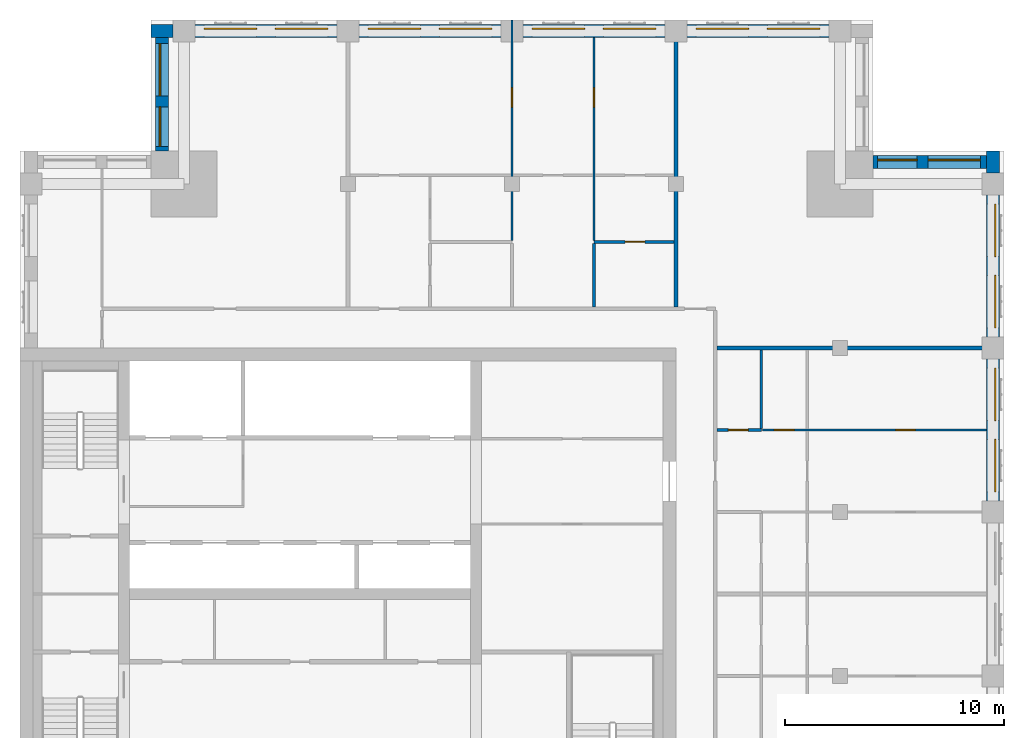
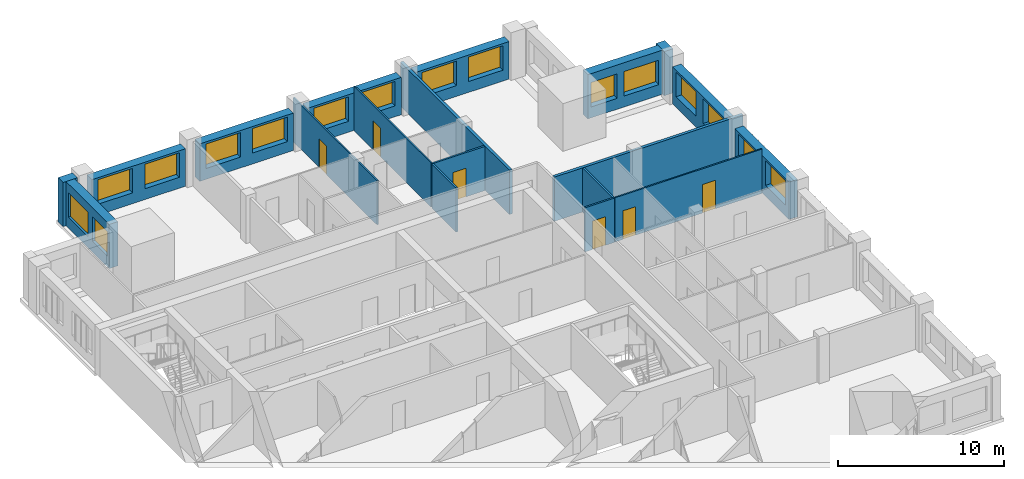
# One storey, part 7 of 10: 19 walls, 16 windows, 6 doors, 22 openings.
"""IFC4 building model written with IfcOpenShell, lengths in metres."""

from ifc_helpers import new_model, si_unit, direction, frame, frame_2d, origin, place, context, subcontext, project, spatial, rectangle, extrude, material, layer, layer_set, type_object, element, fill, save


model = new_model("IFC4")

# Units and contexts
model_context = context("Model", 3, precision=1e-05, world=origin(), true_north=direction((0.0, 1.0)))
body_context = subcontext(model_context, "Body", "Model", "MODEL_VIEW")
ifc_project = project(units=[si_unit("LENGTHUNIT", "METRE"), si_unit("AREAUNIT", "SQUARE_METRE"), si_unit("VOLUMEUNIT", "CUBIC_METRE"), si_unit("PLANEANGLEUNIT", "RADIAN"), si_unit("MASSUNIT", "GRAM", prefix="KILO")], contexts=[model_context])

# Site, building, storey
site_placement = place(None, origin())
site = spatial("IfcSite", under=ifc_project, at=site_placement, CompositionType="ELEMENT")
building_placement = place(site_placement, origin())
building = spatial("IfcBuilding", under=site, at=building_placement, Name="Tamorin Gate", CompositionType="ELEMENT")
storey_placement = place(building_placement, frame((0.0, 0.0, 280.199951171875)))
storey = spatial("IfcBuildingStorey", under=building, at=storey_placement, Name="L70", CompositionType="ELEMENT", Elevation=280.199951171875)

# Wall, openings, windows
ifc_material_1 = material(Name="Precast concrete C40/50", Category="concrete")
ifc_layer_1 = layer(ifc_material_1, 0.60009765625)
ifc_layer_set_1 = layer_set([ifc_layer_1], Name="Precast concrete C40/50")
wall_type_1 = type_object("IfcWallType", Name="Board-marked concrete facade panel 600", PredefinedType="SOLIDWALL", material=ifc_layer_set_1)
wall_1_placement = place(storey_placement, frame((74.5, 75.5, 0.0), z_axis=(0.0, 0.0, 1.0), x_axis=(0.0, 1.0, 0.0)))
wall_1 = element("IfcWall", 1, at=wall_1_placement, inside=storey, type_object=wall_type_1, Name="Facade panel", PredefinedType="SOLIDWALL", context=body_context, shape_type="SweptSolid", body=[
    extrude(rectangle(XDim=6.5, YDim=0.60009765625, at=frame_2d((3.25, 0.0))), origin(), (0.0, 0.0, 1.0), 2.75),
])
opening_1_placement = place(wall_1_placement, frame((0.425048828125, 0.0, 0.800048828125)))
opening_1 = element("IfcOpeningElement", 2, at=opening_1_placement, cuts=wall_1, Name="Opening WN1", PredefinedType="OPENING", context=body_context, shape_type="SweptSolid", body=[
    extrude(rectangle(XDim=2.39990234375, YDim=1.800048828125, at=frame_2d((1.199951171875, 0.89990234375))), frame((0.0, 0.31005859375, 0.0), z_axis=(0.0, -1.0, 0.0), x_axis=(1.0, 0.0, 0.0)), (0.0, 0.0, 1.0), 0.6201171875),
])
opening_2_placement = place(wall_1_placement, frame((3.675048828125, 0.0, 0.800048828125)))
opening_2 = element("IfcOpeningElement", 3, at=opening_2_placement, cuts=wall_1, Name="Opening WN1", PredefinedType="OPENING", context=body_context, shape_type="SweptSolid", body=[
    extrude(rectangle(XDim=2.39990234375, YDim=1.800048828125, at=frame_2d((1.199951171875, 0.89990234375))), frame((0.0, 0.31005859375, 0.0), z_axis=(0.0, -1.0, 0.0), x_axis=(1.0, 0.0, 0.0)), (0.0, 0.0, 1.0), 0.6201171875),
])
ifc_material_2 = material(Name="Clear glass in aluminium frame", Category="aluminium")
window_type_1 = type_object("IfcWindowType", Name="Deep-set window 2400x1800", PartitioningType="SINGLE_PANEL", PredefinedType="WINDOW", material=ifc_material_2)
window_1_placement = place(opening_1_placement, origin())
window_1 = element("IfcWindow", 4, at=window_1_placement, inside=storey, type_object=window_type_1, Name="Deep-set window", OverallHeight=1.800048828125, OverallWidth=2.39990234375, PartitioningType="SINGLE_PANEL", PredefinedType="WINDOW", context=body_context, shape_type="SweptSolid", body=[
    extrude(rectangle(XDim=2.39990234375, YDim=1.800048828125, at=frame_2d((1.199951171875, 0.89990234375))), frame((0.0, -0.070068359375, 0.0), z_axis=(0.0, -1.0, 0.0), x_axis=(1.0, 0.0, 0.0)), (0.0, 0.0, 1.0), 0.06005859375),
])
fill(opening_1, window_1)
window_2_placement = place(opening_2_placement, origin())
window_2 = element("IfcWindow", 5, at=window_2_placement, inside=storey, type_object=window_type_1, Name="Deep-set window", OverallHeight=1.800048828125, OverallWidth=2.39990234375, PartitioningType="SINGLE_PANEL", PredefinedType="WINDOW", context=body_context, shape_type="SweptSolid", body=[
    extrude(rectangle(XDim=2.39990234375, YDim=1.800048828125, at=frame_2d((1.199951171875, 0.89990234375))), frame((0.0, -0.070068359375, 0.0), z_axis=(0.0, -1.0, 0.0), x_axis=(1.0, 0.0, 0.0)), (0.0, 0.0, 1.0), 0.06005859375),
])
fill(opening_2, window_2)

wall_2_placement = place(storey_placement, frame((74.5, 83.0, 0.0), z_axis=(0.0, 0.0, 1.0), x_axis=(0.0, 1.0, 0.0)))
wall_2 = element("IfcWall", 6, at=wall_2_placement, inside=storey, type_object=wall_type_1, Name="Facade panel", PredefinedType="SOLIDWALL", context=body_context, shape_type="SweptSolid", body=[
    extrude(rectangle(XDim=6.5, YDim=0.60009765625, at=frame_2d((3.25, 0.0))), origin(), (0.0, 0.0, 1.0), 2.75),
])
opening_3_placement = place(wall_2_placement, frame((0.425048828125, 0.0, 0.800048828125)))
opening_3 = element("IfcOpeningElement", 7, at=opening_3_placement, cuts=wall_2, Name="Opening WN1", PredefinedType="OPENING", context=body_context, shape_type="SweptSolid", body=[
    extrude(rectangle(XDim=2.39990234375, YDim=1.800048828125, at=frame_2d((1.199951171875, 0.89990234375))), frame((0.0, 0.31005859375, 0.0), z_axis=(0.0, -1.0, 0.0), x_axis=(1.0, 0.0, 0.0)), (0.0, 0.0, 1.0), 0.6201171875),
])
opening_4_placement = place(wall_2_placement, frame((3.675048828125, 0.0, 0.800048828125)))
opening_4 = element("IfcOpeningElement", 8, at=opening_4_placement, cuts=wall_2, Name="Opening WN1", PredefinedType="OPENING", context=body_context, shape_type="SweptSolid", body=[
    extrude(rectangle(XDim=2.39990234375, YDim=1.800048828125, at=frame_2d((1.199951171875, 0.89990234375))), frame((0.0, 0.31005859375, 0.0), z_axis=(0.0, -1.0, 0.0), x_axis=(1.0, 0.0, 0.0)), (0.0, 0.0, 1.0), 0.6201171875),
])
window_3_placement = place(opening_3_placement, origin())
window_3 = element("IfcWindow", 9, at=window_3_placement, inside=storey, type_object=window_type_1, Name="Deep-set window", OverallHeight=1.800048828125, OverallWidth=2.39990234375, PartitioningType="SINGLE_PANEL", PredefinedType="WINDOW", context=body_context, shape_type="SweptSolid", body=[
    extrude(rectangle(XDim=2.39990234375, YDim=1.800048828125, at=frame_2d((1.199951171875, 0.89990234375))), frame((0.0, -0.070068359375, 0.0), z_axis=(0.0, -1.0, 0.0), x_axis=(1.0, 0.0, 0.0)), (0.0, 0.0, 1.0), 0.06005859375),
])
fill(opening_3, window_3)
window_4_placement = place(opening_4_placement, origin())
window_4 = element("IfcWindow", 10, at=window_4_placement, inside=storey, type_object=window_type_1, Name="Deep-set window", OverallHeight=1.800048828125, OverallWidth=2.39990234375, PartitioningType="SINGLE_PANEL", PredefinedType="WINDOW", context=body_context, shape_type="SweptSolid", body=[
    extrude(rectangle(XDim=2.39990234375, YDim=1.800048828125, at=frame_2d((1.199951171875, 0.89990234375))), frame((0.0, -0.070068359375, 0.0), z_axis=(0.0, -1.0, 0.0), x_axis=(1.0, 0.0, 0.0)), (0.0, 0.0, 1.0), 0.06005859375),
])
fill(opening_4, window_4)

# Wall
wall_3_placement = place(storey_placement, frame((74.5, 90.5, 0.0), z_axis=(0.0, 0.0, 1.0), x_axis=(0.0, 1.0, 0.0)))
element("IfcWall", 11, at=wall_3_placement, inside=storey, type_object=wall_type_1, Name="Facade panel", PredefinedType="SOLIDWALL", context=body_context, shape_type="SweptSolid", body=[
    extrude(rectangle(XDim=1.0, YDim=0.60009765625, at=frame_2d((0.5, 0.0))), origin(), (0.0, 0.0, 1.0), 3.25),
])

# Wall, openings, windows
wall_4_placement = place(storey_placement, frame((74.199951171875, 91.0, 0.0), z_axis=(0.0, 0.0, 1.0), x_axis=(-1.0, 0.0, 0.0)))
wall_4 = element("IfcWall", 12, at=wall_4_placement, inside=storey, type_object=wall_type_1, Name="Facade panel", PredefinedType="SOLIDWALL", context=body_context, shape_type="SweptSolid", body=[
    extrude(rectangle(XDim=5.199951171875, YDim=0.60009765625, at=frame_2d((2.60009765625, 0.0))), origin(), (0.0, 0.0, 1.0), 3.25),
])
opening_5_placement = place(wall_4_placement, frame((3.175048828125, 0.0, 0.800048828125)))
opening_5 = element("IfcOpeningElement", 13, at=opening_5_placement, cuts=wall_4, Name="Opening WN2", PredefinedType="OPENING", context=body_context, shape_type="SweptSolid", body=[
    extrude(rectangle(XDim=1.800048828125, YDim=1.800048828125, at=frame_2d((0.89990234375, 0.89990234375))), frame((0.0, 0.31005859375, 0.0), z_axis=(0.0, -1.0, 0.0), x_axis=(1.0, 0.0, 0.0)), (0.0, 0.0, 1.0), 0.6201171875),
])
opening_6_placement = place(wall_4_placement, frame((0.27490234375, 0.0, 0.800048828125)))
opening_6 = element("IfcOpeningElement", 14, at=opening_6_placement, cuts=wall_4, Name="Opening WN1", PredefinedType="OPENING", context=body_context, shape_type="SweptSolid", body=[
    extrude(rectangle(XDim=2.39990234375, YDim=1.800048828125, at=frame_2d((1.199951171875, 0.89990234375))), frame((0.0, 0.31005859375, 0.0), z_axis=(0.0, -1.0, 0.0), x_axis=(1.0, 0.0, 0.0)), (0.0, 0.0, 1.0), 0.6201171875),
])
window_type_2 = type_object("IfcWindowType", Name="Deep-set window 1800x1800", PartitioningType="SINGLE_PANEL", PredefinedType="WINDOW", material=ifc_material_2)
window_5_placement = place(opening_5_placement, origin())
window_5 = element("IfcWindow", 15, at=window_5_placement, inside=storey, type_object=window_type_2, Name="Deep-set window", OverallHeight=1.800048828125, OverallWidth=1.800048828125, PartitioningType="SINGLE_PANEL", PredefinedType="WINDOW", context=body_context, shape_type="SweptSolid", body=[
    extrude(rectangle(XDim=1.800048828125, YDim=1.800048828125, at=frame_2d((0.89990234375, 0.89990234375))), frame((0.0, -0.070068359375, 0.0), z_axis=(0.0, -1.0, 0.0), x_axis=(1.0, 0.0, 0.0)), (0.0, 0.0, 1.0), 0.06005859375),
])
fill(opening_5, window_5)
window_6_placement = place(opening_6_placement, origin())
window_6 = element("IfcWindow", 16, at=window_6_placement, inside=storey, type_object=window_type_1, Name="Deep-set window", OverallHeight=1.800048828125, OverallWidth=2.39990234375, PartitioningType="SINGLE_PANEL", PredefinedType="WINDOW", context=body_context, shape_type="SweptSolid", body=[
    extrude(rectangle(XDim=2.39990234375, YDim=1.800048828125, at=frame_2d((1.199951171875, 0.89990234375))), frame((0.0, -0.070068359375, 0.0), z_axis=(0.0, -1.0, 0.0), x_axis=(1.0, 0.0, 0.0)), (0.0, 0.0, 1.0), 0.06005859375),
])
fill(opening_6, window_6)

wall_5_placement = place(storey_placement, frame((67.0, 97.0, 0.0), z_axis=(0.0, 0.0, 1.0), x_axis=(-1.0, 0.0, 0.0)))
wall_5 = element("IfcWall", 17, at=wall_5_placement, inside=storey, type_object=wall_type_1, Name="Facade panel", PredefinedType="SOLIDWALL", context=body_context, shape_type="SweptSolid", body=[
    extrude(rectangle(XDim=6.5, YDim=0.60009765625, at=frame_2d((3.25, 0.0))), origin(), (0.0, 0.0, 1.0), 2.75),
])
opening_7_placement = place(wall_5_placement, frame((3.675048828125, 0.0, 0.800048828125)))
opening_7 = element("IfcOpeningElement", 18, at=opening_7_placement, cuts=wall_5, Name="Opening WN1", PredefinedType="OPENING", context=body_context, shape_type="SweptSolid", body=[
    extrude(rectangle(XDim=2.39990234375, YDim=1.800048828125, at=frame_2d((1.199951171875, 0.89990234375))), frame((0.0, 0.31005859375, 0.0), z_axis=(0.0, -1.0, 0.0), x_axis=(1.0, 0.0, 0.0)), (0.0, 0.0, 1.0), 0.6201171875),
])
opening_8_placement = place(wall_5_placement, frame((0.425048828125, 0.0, 0.800048828125)))
opening_8 = element("IfcOpeningElement", 19, at=opening_8_placement, cuts=wall_5, Name="Opening WN1", PredefinedType="OPENING", context=body_context, shape_type="SweptSolid", body=[
    extrude(rectangle(XDim=2.39990234375, YDim=1.800048828125, at=frame_2d((1.199951171875, 0.89990234375))), frame((0.0, 0.31005859375, 0.0), z_axis=(0.0, -1.0, 0.0), x_axis=(1.0, 0.0, 0.0)), (0.0, 0.0, 1.0), 0.6201171875),
])
window_7_placement = place(opening_7_placement, origin())
window_7 = element("IfcWindow", 20, at=window_7_placement, inside=storey, type_object=window_type_1, Name="Deep-set window", OverallHeight=1.800048828125, OverallWidth=2.39990234375, PartitioningType="SINGLE_PANEL", PredefinedType="WINDOW", context=body_context, shape_type="SweptSolid", body=[
    extrude(rectangle(XDim=2.39990234375, YDim=1.800048828125, at=frame_2d((1.199951171875, 0.89990234375))), frame((0.0, -0.070068359375, 0.0), z_axis=(0.0, -1.0, 0.0), x_axis=(1.0, 0.0, 0.0)), (0.0, 0.0, 1.0), 0.06005859375),
])
fill(opening_7, window_7)
window_8_placement = place(opening_8_placement, origin())
window_8 = element("IfcWindow", 21, at=window_8_placement, inside=storey, type_object=window_type_1, Name="Deep-set window", OverallHeight=1.800048828125, OverallWidth=2.39990234375, PartitioningType="SINGLE_PANEL", PredefinedType="WINDOW", context=body_context, shape_type="SweptSolid", body=[
    extrude(rectangle(XDim=2.39990234375, YDim=1.800048828125, at=frame_2d((1.199951171875, 0.89990234375))), frame((0.0, -0.070068359375, 0.0), z_axis=(0.0, -1.0, 0.0), x_axis=(1.0, 0.0, 0.0)), (0.0, 0.0, 1.0), 0.06005859375),
])
fill(opening_8, window_8)

wall_6_placement = place(storey_placement, frame((59.5, 97.0, 0.0), z_axis=(0.0, 0.0, 1.0), x_axis=(-1.0, 0.0, 0.0)))
wall_6 = element("IfcWall", 22, at=wall_6_placement, inside=storey, type_object=wall_type_1, Name="Facade panel", PredefinedType="SOLIDWALL", context=body_context, shape_type="SweptSolid", body=[
    extrude(rectangle(XDim=6.5, YDim=0.60009765625, at=frame_2d((3.25, 0.0))), origin(), (0.0, 0.0, 1.0), 2.75),
])
opening_9_placement = place(wall_6_placement, frame((3.675048828125, 0.0, 0.800048828125)))
opening_9 = element("IfcOpeningElement", 23, at=opening_9_placement, cuts=wall_6, Name="Opening WN1", PredefinedType="OPENING", context=body_context, shape_type="SweptSolid", body=[
    extrude(rectangle(XDim=2.39990234375, YDim=1.800048828125, at=frame_2d((1.199951171875, 0.89990234375))), frame((0.0, 0.31005859375, 0.0), z_axis=(0.0, -1.0, 0.0), x_axis=(1.0, 0.0, 0.0)), (0.0, 0.0, 1.0), 0.6201171875),
])
opening_10_placement = place(wall_6_placement, frame((0.425048828125, 0.0, 0.800048828125)))
opening_10 = element("IfcOpeningElement", 24, at=opening_10_placement, cuts=wall_6, Name="Opening WN1", PredefinedType="OPENING", context=body_context, shape_type="SweptSolid", body=[
    extrude(rectangle(XDim=2.39990234375, YDim=1.800048828125, at=frame_2d((1.199951171875, 0.89990234375))), frame((0.0, 0.31005859375, 0.0), z_axis=(0.0, -1.0, 0.0), x_axis=(1.0, 0.0, 0.0)), (0.0, 0.0, 1.0), 0.6201171875),
])
window_9_placement = place(opening_9_placement, origin())
window_9 = element("IfcWindow", 25, at=window_9_placement, inside=storey, type_object=window_type_1, Name="Deep-set window", OverallHeight=1.800048828125, OverallWidth=2.39990234375, PartitioningType="SINGLE_PANEL", PredefinedType="WINDOW", context=body_context, shape_type="SweptSolid", body=[
    extrude(rectangle(XDim=2.39990234375, YDim=1.800048828125, at=frame_2d((1.199951171875, 0.89990234375))), frame((0.0, -0.070068359375, 0.0), z_axis=(0.0, -1.0, 0.0), x_axis=(1.0, 0.0, 0.0)), (0.0, 0.0, 1.0), 0.06005859375),
])
fill(opening_9, window_9)
window_10_placement = place(opening_10_placement, origin())
window_10 = element("IfcWindow", 26, at=window_10_placement, inside=storey, type_object=window_type_1, Name="Deep-set window", OverallHeight=1.800048828125, OverallWidth=2.39990234375, PartitioningType="SINGLE_PANEL", PredefinedType="WINDOW", context=body_context, shape_type="SweptSolid", body=[
    extrude(rectangle(XDim=2.39990234375, YDim=1.800048828125, at=frame_2d((1.199951171875, 0.89990234375))), frame((0.0, -0.070068359375, 0.0), z_axis=(0.0, -1.0, 0.0), x_axis=(1.0, 0.0, 0.0)), (0.0, 0.0, 1.0), 0.06005859375),
])
fill(opening_10, window_10)

wall_7_placement = place(storey_placement, frame((52.0, 97.0, 0.0), z_axis=(0.0, 0.0, 1.0), x_axis=(-1.0, 0.0, 0.0)))
wall_7 = element("IfcWall", 27, at=wall_7_placement, inside=storey, type_object=wall_type_1, Name="Facade panel", PredefinedType="SOLIDWALL", context=body_context, shape_type="SweptSolid", body=[
    extrude(rectangle(XDim=6.5, YDim=0.60009765625, at=frame_2d((3.25, 0.0))), origin(), (0.0, 0.0, 1.0), 2.75),
])
opening_11_placement = place(wall_7_placement, frame((3.675048828125, 0.0, 0.800048828125)))
opening_11 = element("IfcOpeningElement", 28, at=opening_11_placement, cuts=wall_7, Name="Opening WN1", PredefinedType="OPENING", context=body_context, shape_type="SweptSolid", body=[
    extrude(rectangle(XDim=2.39990234375, YDim=1.800048828125, at=frame_2d((1.199951171875, 0.89990234375))), frame((0.0, 0.31005859375, 0.0), z_axis=(0.0, -1.0, 0.0), x_axis=(1.0, 0.0, 0.0)), (0.0, 0.0, 1.0), 0.6201171875),
])
opening_12_placement = place(wall_7_placement, frame((0.425048828125, 0.0, 0.800048828125)))
opening_12 = element("IfcOpeningElement", 29, at=opening_12_placement, cuts=wall_7, Name="Opening WN1", PredefinedType="OPENING", context=body_context, shape_type="SweptSolid", body=[
    extrude(rectangle(XDim=2.39990234375, YDim=1.800048828125, at=frame_2d((1.199951171875, 0.89990234375))), frame((0.0, 0.31005859375, 0.0), z_axis=(0.0, -1.0, 0.0), x_axis=(1.0, 0.0, 0.0)), (0.0, 0.0, 1.0), 0.6201171875),
])
window_11_placement = place(opening_11_placement, origin())
window_11 = element("IfcWindow", 30, at=window_11_placement, inside=storey, type_object=window_type_1, Name="Deep-set window", OverallHeight=1.800048828125, OverallWidth=2.39990234375, PartitioningType="SINGLE_PANEL", PredefinedType="WINDOW", context=body_context, shape_type="SweptSolid", body=[
    extrude(rectangle(XDim=2.39990234375, YDim=1.800048828125, at=frame_2d((1.199951171875, 0.89990234375))), frame((0.0, -0.070068359375, 0.0), z_axis=(0.0, -1.0, 0.0), x_axis=(1.0, 0.0, 0.0)), (0.0, 0.0, 1.0), 0.06005859375),
])
fill(opening_11, window_11)
window_12_placement = place(opening_12_placement, origin())
window_12 = element("IfcWindow", 31, at=window_12_placement, inside=storey, type_object=window_type_1, Name="Deep-set window", OverallHeight=1.800048828125, OverallWidth=2.39990234375, PartitioningType="SINGLE_PANEL", PredefinedType="WINDOW", context=body_context, shape_type="SweptSolid", body=[
    extrude(rectangle(XDim=2.39990234375, YDim=1.800048828125, at=frame_2d((1.199951171875, 0.89990234375))), frame((0.0, -0.070068359375, 0.0), z_axis=(0.0, -1.0, 0.0), x_axis=(1.0, 0.0, 0.0)), (0.0, 0.0, 1.0), 0.06005859375),
])
fill(opening_12, window_12)

wall_8_placement = place(storey_placement, frame((44.5, 97.0, 0.0), z_axis=(0.0, 0.0, 1.0), x_axis=(-1.0, 0.0, 0.0)))
wall_8 = element("IfcWall", 32, at=wall_8_placement, inside=storey, type_object=wall_type_1, Name="Facade panel", PredefinedType="SOLIDWALL", context=body_context, shape_type="SweptSolid", body=[
    extrude(rectangle(XDim=6.5, YDim=0.60009765625, at=frame_2d((3.25, 0.0))), origin(), (0.0, 0.0, 1.0), 2.75),
])
opening_13_placement = place(wall_8_placement, frame((3.675048828125, 0.0, 0.800048828125)))
opening_13 = element("IfcOpeningElement", 33, at=opening_13_placement, cuts=wall_8, Name="Opening WN1", PredefinedType="OPENING", context=body_context, shape_type="SweptSolid", body=[
    extrude(rectangle(XDim=2.39990234375, YDim=1.800048828125, at=frame_2d((1.199951171875, 0.89990234375))), frame((0.0, 0.31005859375, 0.0), z_axis=(0.0, -1.0, 0.0), x_axis=(1.0, 0.0, 0.0)), (0.0, 0.0, 1.0), 0.6201171875),
])
opening_14_placement = place(wall_8_placement, frame((0.425048828125, 0.0, 0.800048828125)))
opening_14 = element("IfcOpeningElement", 34, at=opening_14_placement, cuts=wall_8, Name="Opening WN1", PredefinedType="OPENING", context=body_context, shape_type="SweptSolid", body=[
    extrude(rectangle(XDim=2.39990234375, YDim=1.800048828125, at=frame_2d((1.199951171875, 0.89990234375))), frame((0.0, 0.31005859375, 0.0), z_axis=(0.0, -1.0, 0.0), x_axis=(1.0, 0.0, 0.0)), (0.0, 0.0, 1.0), 0.6201171875),
])
window_13_placement = place(opening_13_placement, origin())
window_13 = element("IfcWindow", 35, at=window_13_placement, inside=storey, type_object=window_type_1, Name="Deep-set window", OverallHeight=1.800048828125, OverallWidth=2.39990234375, PartitioningType="SINGLE_PANEL", PredefinedType="WINDOW", context=body_context, shape_type="SweptSolid", body=[
    extrude(rectangle(XDim=2.39990234375, YDim=1.800048828125, at=frame_2d((1.199951171875, 0.89990234375))), frame((0.0, -0.070068359375, 0.0), z_axis=(0.0, -1.0, 0.0), x_axis=(1.0, 0.0, 0.0)), (0.0, 0.0, 1.0), 0.06005859375),
])
fill(opening_13, window_13)
window_14_placement = place(opening_14_placement, origin())
window_14 = element("IfcWindow", 36, at=window_14_placement, inside=storey, type_object=window_type_1, Name="Deep-set window", OverallHeight=1.800048828125, OverallWidth=2.39990234375, PartitioningType="SINGLE_PANEL", PredefinedType="WINDOW", context=body_context, shape_type="SweptSolid", body=[
    extrude(rectangle(XDim=2.39990234375, YDim=1.800048828125, at=frame_2d((1.199951171875, 0.89990234375))), frame((0.0, -0.070068359375, 0.0), z_axis=(0.0, -1.0, 0.0), x_axis=(1.0, 0.0, 0.0)), (0.0, 0.0, 1.0), 0.06005859375),
])
fill(opening_14, window_14)

# Wall
wall_9_placement = place(storey_placement, frame((37.0, 97.0, 0.0), z_axis=(0.0, 0.0, 1.0), x_axis=(-1.0, 0.0, 0.0)))
element("IfcWall", 37, at=wall_9_placement, inside=storey, type_object=wall_type_1, Name="Facade panel", PredefinedType="SOLIDWALL", context=body_context, shape_type="SweptSolid", body=[
    extrude(rectangle(XDim=1.0, YDim=0.60009765625, at=frame_2d((0.5, 0.0))), origin(), (0.0, 0.0, 1.0), 3.25),
])

# Wall, openings, windows
wall_10_placement = place(storey_placement, frame((36.5, 96.699951171875, 0.0), z_axis=(0.0, 0.0, 1.0), x_axis=(0.0, -1.0, 0.0)))
wall_10 = element("IfcWall", 38, at=wall_10_placement, inside=storey, type_object=wall_type_1, Name="Facade panel", PredefinedType="SOLIDWALL", context=body_context, shape_type="SweptSolid", body=[
    extrude(rectangle(XDim=5.199951171875, YDim=0.60009765625, at=frame_2d((2.60009765625, 0.0))), origin(), (0.0, 0.0, 1.0), 3.25),
])
opening_15_placement = place(wall_10_placement, frame((3.175048828125, 0.0, 0.800048828125)))
opening_15 = element("IfcOpeningElement", 39, at=opening_15_placement, cuts=wall_10, Name="Opening WN2", PredefinedType="OPENING", context=body_context, shape_type="SweptSolid", body=[
    extrude(rectangle(XDim=1.800048828125, YDim=1.800048828125, at=frame_2d((0.89990234375, 0.89990234375))), frame((0.0, 0.31005859375, 0.0), z_axis=(0.0, -1.0, 0.0), x_axis=(1.0, 0.0, 0.0)), (0.0, 0.0, 1.0), 0.6201171875),
])
opening_16_placement = place(wall_10_placement, frame((0.27490234375, 0.0, 0.800048828125)))
opening_16 = element("IfcOpeningElement", 40, at=opening_16_placement, cuts=wall_10, Name="Opening WN1", PredefinedType="OPENING", context=body_context, shape_type="SweptSolid", body=[
    extrude(rectangle(XDim=2.39990234375, YDim=1.800048828125, at=frame_2d((1.199951171875, 0.89990234375))), frame((0.0, 0.31005859375, 0.0), z_axis=(0.0, -1.0, 0.0), x_axis=(1.0, 0.0, 0.0)), (0.0, 0.0, 1.0), 0.6201171875),
])
window_15_placement = place(opening_15_placement, origin())
window_15 = element("IfcWindow", 41, at=window_15_placement, inside=storey, type_object=window_type_2, Name="Deep-set window", OverallHeight=1.800048828125, OverallWidth=1.800048828125, PartitioningType="SINGLE_PANEL", PredefinedType="WINDOW", context=body_context, shape_type="SweptSolid", body=[
    extrude(rectangle(XDim=1.800048828125, YDim=1.800048828125, at=frame_2d((0.89990234375, 0.89990234375))), frame((0.0, -0.070068359375, 0.0), z_axis=(0.0, -1.0, 0.0), x_axis=(1.0, 0.0, 0.0)), (0.0, 0.0, 1.0), 0.06005859375),
])
fill(opening_15, window_15)
window_16_placement = place(opening_16_placement, origin())
window_16 = element("IfcWindow", 42, at=window_16_placement, inside=storey, type_object=window_type_1, Name="Deep-set window", OverallHeight=1.800048828125, OverallWidth=2.39990234375, PartitioningType="SINGLE_PANEL", PredefinedType="WINDOW", context=body_context, shape_type="SweptSolid", body=[
    extrude(rectangle(XDim=2.39990234375, YDim=1.800048828125, at=frame_2d((1.199951171875, 0.89990234375))), frame((0.0, -0.070068359375, 0.0), z_axis=(0.0, -1.0, 0.0), x_axis=(1.0, 0.0, 0.0)), (0.0, 0.0, 1.0), 0.06005859375),
])
fill(opening_16, window_16)

# Walls
ifc_material_3 = material(Name="Gypsum board partition")
ifc_layer_2 = layer(ifc_material_3, 0.199951171875)
ifc_layer_set_2 = layer_set([ifc_layer_2], Name="Demising wall 200")
wall_type_2 = type_object("IfcWallType", Name="Demising wall 200", PredefinedType="PARTITIONING", material=ifc_layer_set_2)
for number, where, z_axis, x_axis, name in (
    (43, (61.875, 82.5, 0.0), (0.0, 0.0, 1.0), (1.0, 0.0, 0.0), "Demising wall 200"),
    (44, (60.0, 84.375, 0.0), (0.0, 0.0, 1.0), (0.0, 1.0, 0.0), "Demising wall 200"),
):
    element("IfcWall", number, at=place(storey_placement, frame(where, z_axis=z_axis, x_axis=x_axis)), inside=storey, type_object=wall_type_2, Name=name, PredefinedType="PARTITIONING", context=body_context, shape_type="SweptSolid", body=[
        extrude(rectangle(XDim=13.125, YDim=0.199951171875, at=frame_2d((6.5625, 0.0))), origin(), (0.0, 0.0, 1.0), 3.25),
    ])

# Wall, openings, doors
ifc_layer_3 = layer(ifc_material_3, 0.10009765625)
ifc_layer_set_3 = layer_set([ifc_layer_3], Name="Room partition 100")
wall_type_3 = type_object("IfcWallType", Name="Room partition 100", PredefinedType="PARTITIONING", material=ifc_layer_set_3)
wall_11_placement = place(storey_placement, frame((63.96240234375, 78.75, 0.0), z_axis=(0.0, 0.0, 1.0), x_axis=(1.0, 0.0, 0.0)))
wall_11 = element("IfcWall", 45, at=wall_11_placement, inside=storey, type_object=wall_type_3, Name="Room partition 100", PredefinedType="PARTITIONING", context=body_context, shape_type="SweptSolid", body=[
    extrude(rectangle(XDim=10.2275390625, YDim=0.10009765625, at=frame_2d((5.11376953125, 0.0))), origin(), (0.0, 0.0, 1.0), 3.25),
])
opening_17_placement = place(wall_11_placement, frame((0.53759765625, 0.0, 0.0)))
opening_17 = element("IfcOpeningElement", 46, at=opening_17_placement, cuts=wall_11, Name="Opening DR9040", PredefinedType="OPENING", context=body_context, shape_type="SweptSolid", body=[
    extrude(rectangle(XDim=0.89990234375, YDim=2.10009765625, at=frame_2d((0.449951171875, 1.050048828125))), frame((0.0, 0.06005859375, 0.0), z_axis=(0.0, -1.0, 0.0), x_axis=(1.0, 0.0, 0.0)), (0.0, 0.0, 1.0), 0.1201171875),
])
opening_18_placement = place(wall_11_placement, frame((6.08740234375, 0.0, 0.0)))
opening_18 = element("IfcOpeningElement", 47, at=opening_18_placement, cuts=wall_11, Name="Opening DR9043", PredefinedType="OPENING", context=body_context, shape_type="SweptSolid", body=[
    extrude(rectangle(XDim=0.89990234375, YDim=2.10009765625, at=frame_2d((0.449951171875, 1.050048828125))), frame((0.0, 0.06005859375, 0.0), z_axis=(0.0, -1.0, 0.0), x_axis=(1.0, 0.0, 0.0)), (0.0, 0.0, 1.0), 0.1201171875),
])
ifc_material_4 = material(Name="Timber door leaf", Category="wood")
door_type = type_object("IfcDoorType", Name="Door 900 x 2100", OperationType="NOTDEFINED", PredefinedType="DOOR", material=ifc_material_4)
door_1_placement = place(opening_17_placement, origin())
door_1 = element("IfcDoor", 48, at=door_1_placement, inside=storey, type_object=door_type, Name="Door DR9040", OperationType="SINGLE_SWING_RIGHT", OverallHeight=2.10009765625, OverallWidth=0.89990234375, PredefinedType="DOOR", context=body_context, shape_type="SweptSolid", body=[
    extrude(rectangle(XDim=0.89990234375, YDim=2.10009765625, at=frame_2d((0.449951171875, 1.050048828125))), frame((0.0, 0.02490234375, 0.0), z_axis=(0.0, -1.0, 0.0), x_axis=(1.0, 0.0, 0.0)), (0.0, 0.0, 1.0), 0.050048828125),
])
fill(opening_17, door_1)
door_2_placement = place(opening_18_placement, origin())
door_2 = element("IfcDoor", 49, at=door_2_placement, inside=storey, type_object=door_type, Name="Door DR9043", OperationType="SINGLE_SWING_RIGHT", OverallHeight=2.10009765625, OverallWidth=0.89990234375, PredefinedType="DOOR", context=body_context, shape_type="SweptSolid", body=[
    extrude(rectangle(XDim=0.89990234375, YDim=2.10009765625, at=frame_2d((0.449951171875, 1.050048828125))), frame((0.0, 0.02490234375, 0.0), z_axis=(0.0, -1.0, 0.0), x_axis=(1.0, 0.0, 0.0)), (0.0, 0.0, 1.0), 0.050048828125),
])
fill(opening_18, door_2)

# Wall, opening, door
wall_12_placement = place(storey_placement, frame((52.5, 87.41259765625, 0.0), z_axis=(0.0, 0.0, 1.0), x_axis=(0.0, 1.0, 0.0)))
wall_12 = element("IfcWall", 50, at=wall_12_placement, inside=storey, type_object=wall_type_3, Name="Room partition 100", PredefinedType="PARTITIONING", context=body_context, shape_type="SweptSolid", body=[
    extrude(rectangle(XDim=10.08740234375, YDim=0.10009765625, at=frame_2d((5.043701171875, 0.0))), origin(), (0.0, 0.0, 1.0), 3.25),
])
opening_19_placement = place(wall_12_placement, frame((6.08740234375, 0.0, 0.0)))
opening_19 = element("IfcOpeningElement", 51, at=opening_19_placement, cuts=wall_12, Name="Opening DR9026", PredefinedType="OPENING", context=body_context, shape_type="SweptSolid", body=[
    extrude(rectangle(XDim=0.89990234375, YDim=2.10009765625, at=frame_2d((0.449951171875, 1.050048828125))), frame((0.0, 0.06005859375, 0.0), z_axis=(0.0, -1.0, 0.0), x_axis=(1.0, 0.0, 0.0)), (0.0, 0.0, 1.0), 0.1201171875),
])
door_3_placement = place(opening_19_placement, origin())
door_3 = element("IfcDoor", 52, at=door_3_placement, inside=storey, type_object=door_type, Name="Door DR9026", OperationType="SINGLE_SWING_RIGHT", OverallHeight=2.10009765625, OverallWidth=0.89990234375, PredefinedType="DOOR", context=body_context, shape_type="SweptSolid", body=[
    extrude(rectangle(XDim=0.89990234375, YDim=2.10009765625, at=frame_2d((0.449951171875, 1.050048828125))), frame((0.0, 0.02490234375, 0.0), z_axis=(0.0, -1.0, 0.0), x_axis=(1.0, 0.0, 0.0)), (0.0, 0.0, 1.0), 0.050048828125),
])
fill(opening_19, door_3)

wall_13_placement = place(storey_placement, frame((56.25, 87.41259765625, 0.0), z_axis=(0.0, 0.0, 1.0), x_axis=(0.0, 1.0, 0.0)))
wall_13 = element("IfcWall", 53, at=wall_13_placement, inside=storey, type_object=wall_type_3, Name="Room partition 100", PredefinedType="PARTITIONING", context=body_context, shape_type="SweptSolid", body=[
    extrude(rectangle(XDim=9.27734375, YDim=0.10009765625, at=frame_2d((4.638671875, 0.0))), origin(), (0.0, 0.0, 1.0), 3.25),
])
opening_20_placement = place(wall_13_placement, frame((6.08740234375, 0.0, 0.0)))
opening_20 = element("IfcOpeningElement", 54, at=opening_20_placement, cuts=wall_13, Name="Opening DR9027", PredefinedType="OPENING", context=body_context, shape_type="SweptSolid", body=[
    extrude(rectangle(XDim=0.89990234375, YDim=2.10009765625, at=frame_2d((0.449951171875, 1.050048828125))), frame((0.0, 0.06005859375, 0.0), z_axis=(0.0, -1.0, 0.0), x_axis=(1.0, 0.0, 0.0)), (0.0, 0.0, 1.0), 0.1201171875),
])
door_4_placement = place(opening_20_placement, origin())
door_4 = element("IfcDoor", 55, at=door_4_placement, inside=storey, type_object=door_type, Name="Door DR9027", OperationType="SINGLE_SWING_RIGHT", OverallHeight=2.10009765625, OverallWidth=0.89990234375, PredefinedType="DOOR", context=body_context, shape_type="SweptSolid", body=[
    extrude(rectangle(XDim=0.89990234375, YDim=2.10009765625, at=frame_2d((0.449951171875, 1.050048828125))), frame((0.0, 0.02490234375, 0.0), z_axis=(0.0, -1.0, 0.0), x_axis=(1.0, 0.0, 0.0)), (0.0, 0.0, 1.0), 0.050048828125),
])
fill(opening_20, door_4)

ifc_layer_4 = layer(ifc_material_3, 0.125)
ifc_layer_set_4 = layer_set([ifc_layer_4], Name="Wet wall 125")
wall_type_4 = type_object("IfcWallType", Name="Wet wall 125", PredefinedType="PARTITIONING", material=ifc_layer_set_4)
wall_14_placement = place(storey_placement, frame((61.875, 78.75, 0.0), z_axis=(0.0, 0.0, 1.0), x_axis=(1.0, 0.0, 0.0)))
wall_14 = element("IfcWall", 56, at=wall_14_placement, inside=storey, type_object=wall_type_4, Name="Wet wall 125", PredefinedType="PARTITIONING", context=body_context, shape_type="SweptSolid", body=[
    extrude(rectangle(XDim=2.02490234375, YDim=0.125, at=frame_2d((1.012451171875, 0.0))), origin(), (0.0, 0.0, 1.0), 3.25),
])
opening_21_placement = place(wall_14_placement, frame((0.52490234375, 0.0, 0.0)))
opening_21 = element("IfcOpeningElement", 57, at=opening_21_placement, cuts=wall_14, Name="Opening DR9041", PredefinedType="OPENING", context=body_context, shape_type="SweptSolid", body=[
    extrude(rectangle(XDim=0.89990234375, YDim=2.10009765625, at=frame_2d((0.449951171875, 1.050048828125))), frame((0.0, 0.072509765625, 0.0), z_axis=(0.0, -1.0, 0.0), x_axis=(1.0, 0.0, 0.0)), (0.0, 0.0, 1.0), 0.14501953125),
])
door_5_placement = place(opening_21_placement, origin())
door_5 = element("IfcDoor", 58, at=door_5_placement, inside=storey, type_object=door_type, Name="Door DR9041", OperationType="SINGLE_SWING_RIGHT", OverallHeight=2.10009765625, OverallWidth=0.89990234375, PredefinedType="DOOR", context=body_context, shape_type="SweptSolid", body=[
    extrude(rectangle(XDim=0.89990234375, YDim=2.10009765625, at=frame_2d((0.449951171875, 1.050048828125))), frame((0.0, 0.02490234375, 0.0), z_axis=(0.0, -1.0, 0.0), x_axis=(1.0, 0.0, 0.0)), (0.0, 0.0, 1.0), 0.050048828125),
])
fill(opening_21, door_5)

wall_15_placement = place(storey_placement, frame((56.25, 87.35009765625, 0.0), z_axis=(0.0, 0.0, 1.0), x_axis=(1.0, 0.0, 0.0)))
wall_15 = element("IfcWall", 59, at=wall_15_placement, inside=storey, type_object=wall_type_4, Name="Wet wall 125", PredefinedType="PARTITIONING", context=body_context, shape_type="SweptSolid", body=[
    extrude(rectangle(XDim=3.64990234375, YDim=0.125, at=frame_2d((1.824951171875, 0.0))), origin(), (0.0, 0.0, 1.0), 3.25),
])
opening_22_placement = place(wall_15_placement, frame((1.425048828125, 0.0, 0.0)))
opening_22 = element("IfcOpeningElement", 60, at=opening_22_placement, cuts=wall_15, Name="Opening DR9025", PredefinedType="OPENING", context=body_context, shape_type="SweptSolid", body=[
    extrude(rectangle(XDim=0.89990234375, YDim=2.10009765625, at=frame_2d((0.449951171875, 1.050048828125))), frame((0.0, 0.072509765625, 0.0), z_axis=(0.0, -1.0, 0.0), x_axis=(1.0, 0.0, 0.0)), (0.0, 0.0, 1.0), 0.14501953125),
])
door_6_placement = place(opening_22_placement, origin())
door_6 = element("IfcDoor", 61, at=door_6_placement, inside=storey, type_object=door_type, Name="Door DR9025", OperationType="SINGLE_SWING_RIGHT", OverallHeight=2.10009765625, OverallWidth=0.89990234375, PredefinedType="DOOR", context=body_context, shape_type="SweptSolid", body=[
    extrude(rectangle(XDim=0.89990234375, YDim=2.10009765625, at=frame_2d((0.449951171875, 1.050048828125))), frame((0.0, 0.02490234375, 0.0), z_axis=(0.0, -1.0, 0.0), x_axis=(1.0, 0.0, 0.0)), (0.0, 0.0, 1.0), 0.050048828125),
])
fill(opening_22, door_6)

# Walls
wall_16_placement = place(storey_placement, frame((56.25, 84.375, 0.0), z_axis=(0.0, 0.0, 1.0), x_axis=(0.0, 1.0, 0.0)))
element("IfcWall", 62, at=wall_16_placement, inside=storey, type_object=wall_type_4, Name="Wet wall 125", PredefinedType="PARTITIONING", context=body_context, shape_type="SweptSolid", body=[
    extrude(rectangle(XDim=2.91259765625, YDim=0.125, at=frame_2d((1.456298828125, 0.0))), origin(), (0.0, 0.0, 1.0), 3.25),
])
wall_17_placement = place(storey_placement, frame((63.89990234375, 78.8125, 0.0), z_axis=(0.0, 0.0, 1.0), x_axis=(0.0, 1.0, 0.0)))
element("IfcWall", 63, at=wall_17_placement, inside=storey, type_object=wall_type_4, Name="Wet wall 125", PredefinedType="PARTITIONING", context=body_context, shape_type="SweptSolid", body=[
    extrude(rectangle(XDim=3.58740234375, YDim=0.125, at=frame_2d((1.793701171875, 0.0))), origin(), (0.0, 0.0, 1.0), 3.25),
])

save(model, "model.ifc")
